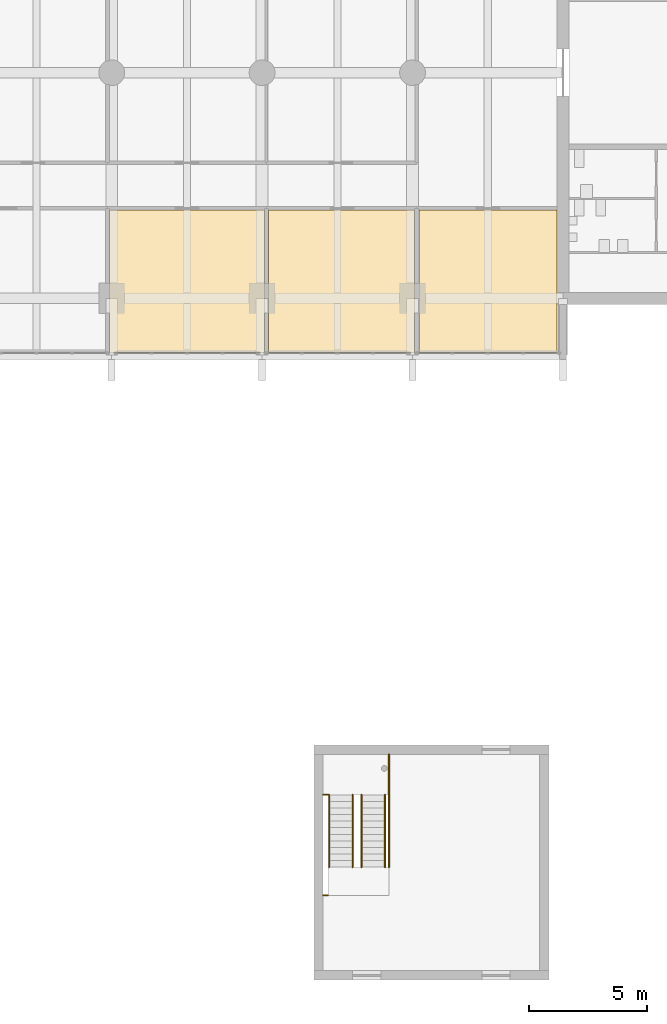
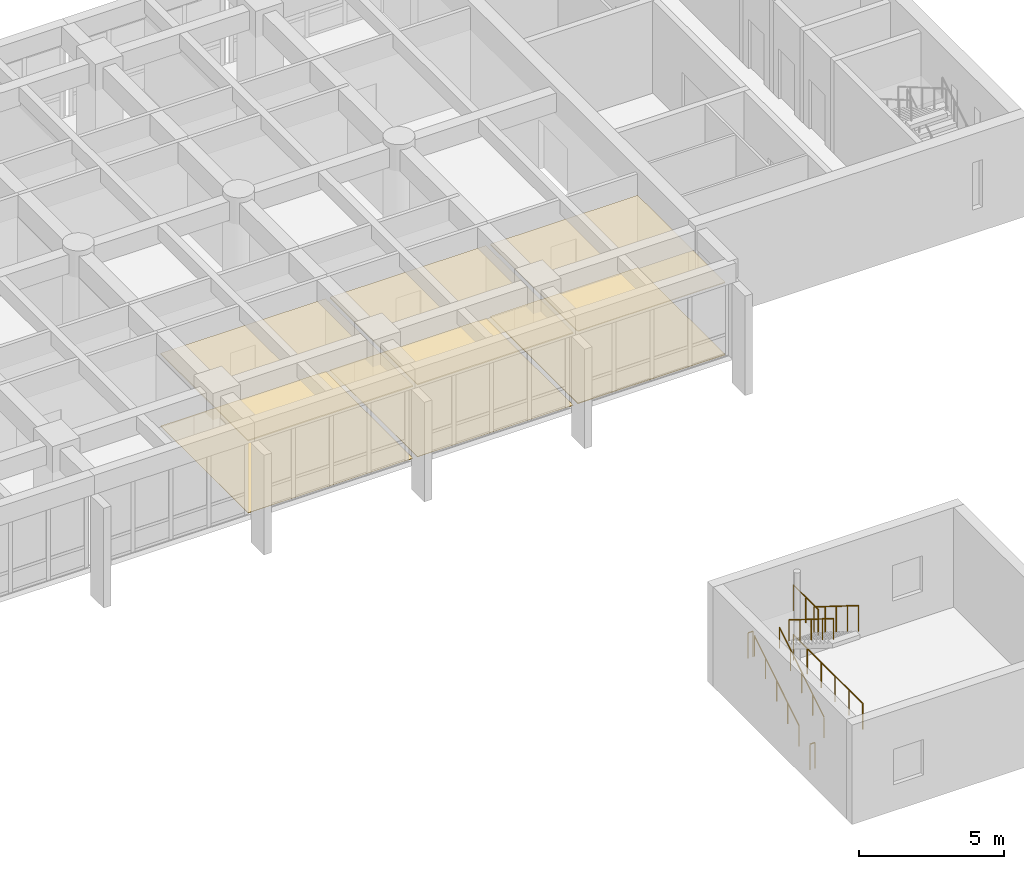
# One storey, part 16 of 18: 8 railings, 6 coverings.
"""IFC4 building model written with IfcOpenShell, lengths in metres."""

from ifc_helpers import new_model, si_unit, direction, frame, origin, origin_2d, place, context, subcontext, project, spatial, polyline, circle, outline, extrude, material, layer, layer_set, type_object, element, save


model = new_model("IFC4")

# Units and contexts
model_context = context("Model", 3, precision=1e-05, world=origin(), true_north=direction((0.0, 1.0)))
body_context = subcontext(model_context, "Body", "Model", "MODEL_VIEW")
ifc_project = project(units=[si_unit("LENGTHUNIT", "METRE"), si_unit("AREAUNIT", "SQUARE_METRE"), si_unit("VOLUMEUNIT", "CUBIC_METRE"), si_unit("PLANEANGLEUNIT", "RADIAN"), si_unit("MASSUNIT", "GRAM", prefix="KILO")], contexts=[model_context])

# Site, building, storey
site_placement = place(None, origin())
site = spatial("IfcSite", under=ifc_project, at=site_placement, CompositionType="ELEMENT")
building_placement = place(site_placement, origin())
building = spatial("IfcBuilding", under=site, at=building_placement, Name="Fogon Plaza Fire Station and Headquarters Tower", CompositionType="ELEMENT")
storey_placement = place(building_placement, frame((0.0, 0.0, 12.89990234375)))
storey = spatial("IfcBuildingStorey", under=building, at=storey_placement, Name="L03", CompositionType="ELEMENT", Elevation=12.89990234375)

# Railings
ifc_material_1 = material(Name="Stainless Steel", Category="steel")
railing_type_1 = type_object("IfcRailingType", Name="Guard Steel 1100", PredefinedType="GUARDRAIL", material=ifc_material_1)
railing_1_placement = place(storey_placement, frame((56.60009765625, 9.39990234375, 0.0)))
element("IfcRailing", 1, at=railing_1_placement, inside=storey, type_object=railing_type_1, Name="rail-DT1-L03-edge", PredefinedType="GUARDRAIL", context=body_context, shape_type="SweptSolid", body=[
    extrude(circle(Radius=0.02392578125, at=origin_2d()), frame((0.0, 0.0, 1.076171875), z_axis=(0.0, 1.0, 0.0), x_axis=(-1.0, 0.0, 0.0)), (0.0, 0.0, 1.0), 4.800048828125),
    extrude(circle(Radius=0.02099609375, at=origin_2d()), origin(), (0.0, 0.0, 1.0), 1.052001953125),
    extrude(circle(Radius=0.02099609375, at=origin_2d()), frame((0.0, 0.9599609375, 0.0)), (0.0, 0.0, 1.0), 1.052001953125),
    extrude(circle(Radius=0.02099609375, at=origin_2d()), frame((0.0, 1.919921875, 0.0)), (0.0, 0.0, 1.0), 1.052001953125),
    extrude(circle(Radius=0.02099609375, at=origin_2d()), frame((0.0, 2.880126953125, 0.0)), (0.0, 0.0, 1.0), 1.052001953125),
    extrude(circle(Radius=0.02099609375, at=origin_2d()), frame((0.0, 3.840087890625, 0.0)), (0.0, 0.0, 1.0), 1.052001953125),
    extrude(circle(Radius=0.02099609375, at=origin_2d()), frame((0.0, 4.800048828125, 0.0)), (0.0, 0.0, 1.0), 1.052001953125),
])
railing_2_placement = place(storey_placement, frame((53.800048828125, 8.199951171875, 0.0)))
element("IfcRailing", 2, at=railing_2_placement, inside=storey, type_object=railing_type_1, Name="rail-DT1-L03-slotmouth", PredefinedType="GUARDRAIL", context=body_context, shape_type="SweptSolid", body=[
    extrude(circle(Radius=0.02392578125, at=origin_2d()), frame((0.0, 0.0, 1.076171875), z_axis=(1.0, 0.0, 0.0), x_axis=(0.0, 1.0, 0.0)), (0.0, 0.0, 1.0), 0.199951171875),
    extrude(circle(Radius=0.02099609375, at=origin_2d()), origin(), (0.0, 0.0, 1.0), 1.052001953125),
    extrude(circle(Radius=0.02099609375, at=origin_2d()), frame((0.199951171875, 0.0, 0.0)), (0.0, 0.0, 1.0), 1.052001953125),
])
railing_3_placement = place(storey_placement, frame((56.429931640625, 12.47998046875, 2.275146484375)))
element("IfcRailing", 3, at=railing_3_placement, inside=storey, type_object=railing_type_1, Name="rail-DT1-L03-4", PredefinedType="GUARDRAIL", context=body_context, shape_type="SweptSolid", body=[
    extrude(circle(Radius=0.02392578125, at=origin_2d()), frame((0.0, 0.0, 1.076171875), z_axis=(0.0, -0.847998304005, 0.529998940003), x_axis=(1.0, 0.0, 0.0)), (0.0, 0.0, 1.0), 3.632080078125),
    extrude(circle(Radius=0.02099609375, at=origin_2d()), origin(), (0.0, 0.0, 1.0), 1.052001953125),
    extrude(circle(Radius=0.02099609375, at=origin_2d()), frame((0.0, -0.77001953125, 0.481201171875)), (0.0, 0.0, 1.0), 1.052001953125),
    extrude(circle(Radius=0.02099609375, at=origin_2d()), frame((0.0, -1.5400390625, 0.96240234375)), (0.0, 0.0, 1.0), 1.052001953125),
    extrude(circle(Radius=0.02099609375, at=origin_2d()), frame((0.0, -2.31005859375, 1.44384765625)), (0.0, 0.0, 1.0), 1.052001953125),
    extrude(circle(Radius=0.02099609375, at=origin_2d()), frame((0.0, -3.080078125, 1.925048828125)), (0.0, 0.0, 1.0), 1.052001953125),
])
railing_4_placement = place(storey_placement, frame((56.60009765625, 12.47998046875, 2.10009765625)))
element("IfcRailing", 4, at=railing_4_placement, inside=storey, type_object=railing_type_1, Name="rail-DT1-L03-half", PredefinedType="GUARDRAIL", context=body_context, shape_type="SweptSolid", body=[
    extrude(circle(Radius=0.02392578125, at=origin_2d()), frame((0.0, 0.0, 1.076171875), z_axis=(0.0, 1.0, 0.0), x_axis=(-1.0, 0.0, 0.0)), (0.0, 0.0, 1.0), 1.719970703125),
    extrude(circle(Radius=0.02099609375, at=origin_2d()), origin(), (0.0, 0.0, 1.0), 1.052001953125),
    extrude(circle(Radius=0.02099609375, at=origin_2d()), frame((0.0, 0.85986328125, 0.0)), (0.0, 0.0, 1.0), 1.052001953125),
    extrude(circle(Radius=0.02099609375, at=origin_2d()), frame((0.0, 1.719970703125, 0.0)), (0.0, 0.0, 1.0), 1.052001953125),
])
railing_5_placement = place(storey_placement, frame((53.800048828125, 12.47998046875, 2.10009765625)))
element("IfcRailing", 5, at=railing_5_placement, inside=storey, type_object=railing_type_1, Name="rail-DT1-L03-slot", PredefinedType="GUARDRAIL", context=body_context, shape_type="SweptSolid", body=[
    extrude(circle(Radius=0.02392578125, at=origin_2d()), frame((0.0, 0.0, 1.076171875), z_axis=(1.0, 0.0, 0.0), x_axis=(0.0, 1.0, 0.0)), (0.0, 0.0, 1.0), 0.199951171875),
    extrude(circle(Radius=0.02099609375, at=origin_2d()), origin(), (0.0, 0.0, 1.0), 1.052001953125),
    extrude(circle(Radius=0.02099609375, at=origin_2d()), frame((0.199951171875, 0.0, 0.0)), (0.0, 0.0, 1.0), 1.052001953125),
])
ifc_material_2 = material(Name="Stainless Steel", Category="steel")
railing_type_2 = type_object("IfcRailingType", Name="Stair Handrail Steel 900", PredefinedType="HANDRAIL", material=ifc_material_2)
for number, where, name in (
    (6, (54.050048828125, 9.39990234375, 0.175048828125), "rail-DT1-L03-1"),
    (7, (55.050048828125, 9.39990234375, 0.175048828125), "rail-DT1-L03-2"),
):
    element("IfcRailing", number, at=place(storey_placement, frame(where)), inside=storey, type_object=railing_type_2, Name=name, PredefinedType="HANDRAIL", context=body_context, shape_type="SweptSolid", body=[
        extrude(circle(Radius=0.02392578125, at=origin_2d()), frame((0.0, 0.0, 0.8759765625), z_axis=(0.0, 0.847998304005, 0.529998940003), x_axis=(-1.0, 0.0, 0.0)), (0.0, 0.0, 1.0), 3.632080078125),
        extrude(circle(Radius=0.02099609375, at=origin_2d()), origin(), (0.0, 0.0, 1.0), 0.851806640625),
        extrude(circle(Radius=0.02099609375, at=origin_2d()), frame((0.0, 0.77001953125, 0.481201171875)), (0.0, 0.0, 1.0), 0.851806640625),
        extrude(circle(Radius=0.02099609375, at=origin_2d()), frame((0.0, 1.5400390625, 0.96240234375)), (0.0, 0.0, 1.0), 0.851806640625),
        extrude(circle(Radius=0.02099609375, at=origin_2d()), frame((0.0, 2.31005859375, 1.44384765625)), (0.0, 0.0, 1.0), 0.851806640625),
        extrude(circle(Radius=0.02099609375, at=origin_2d()), frame((0.0, 3.080078125, 1.925048828125)), (0.0, 0.0, 1.0), 0.851806640625),
    ])
railing_6_placement = place(storey_placement, frame((55.429931640625, 12.47998046875, 2.275146484375)))
element("IfcRailing", 8, at=railing_6_placement, inside=storey, type_object=railing_type_2, Name="rail-DT1-L03-3", PredefinedType="HANDRAIL", context=body_context, shape_type="SweptSolid", body=[
    extrude(circle(Radius=0.02392578125, at=origin_2d()), frame((0.0, 0.0, 0.8759765625), z_axis=(0.0, -0.847998304005, 0.529998940003), x_axis=(1.0, 0.0, 0.0)), (0.0, 0.0, 1.0), 3.632080078125),
    extrude(circle(Radius=0.02099609375, at=origin_2d()), origin(), (0.0, 0.0, 1.0), 0.851806640625),
    extrude(circle(Radius=0.02099609375, at=origin_2d()), frame((0.0, -0.77001953125, 0.481201171875)), (0.0, 0.0, 1.0), 0.851806640625),
    extrude(circle(Radius=0.02099609375, at=origin_2d()), frame((0.0, -1.5400390625, 0.96240234375)), (0.0, 0.0, 1.0), 0.851806640625),
    extrude(circle(Radius=0.02099609375, at=origin_2d()), frame((0.0, -2.31005859375, 1.44384765625)), (0.0, 0.0, 1.0), 0.851806640625),
    extrude(circle(Radius=0.02099609375, at=origin_2d()), frame((0.0, -3.080078125, 1.925048828125)), (0.0, 0.0, 1.0), 0.851806640625),
])

# Coverings
ifc_material_3 = material(Name="Acoustic ceiling tile")
ifc_layer_1 = layer(ifc_material_3, 0.050048828125)
ifc_layer_set_1 = layer_set([ifc_layer_1], Name="Acoustic ceiling tile")
covering_type_1 = type_object("IfcCoveringType", Name="Tower acoustic ceiling", PredefinedType="CEILING", material=ifc_layer_set_1)
covering_1_placement = place(storey_placement, frame((0.0, 0.0, 3.030029296875)))
element("IfcCovering", 9, at=covering_1_placement, inside=storey, type_object=covering_type_1, Name="cov-cl-L03-02", PredefinedType="CEILING", context=body_context, shape_type="SweptSolid", body=[
    extrude(outline(polyline([(51.29248046875, 31.300048828125), (51.29248046875, 37.35009765625), (44.70751953125, 37.35009765625), (44.70751953125, 31.300048828125), (51.29248046875, 31.300048828125)])), origin(), (0.0, 0.0, 1.0), 0.050048828125),
])
covering_2_placement = place(storey_placement, frame((0.0, 0.0, 3.030029296875)))
element("IfcCovering", 10, at=covering_2_placement, inside=storey, type_object=covering_type_1, Name="cov-cl-L03-03", PredefinedType="CEILING", context=body_context, shape_type="SweptSolid", body=[
    extrude(outline(polyline([(57.6923828125, 31.300048828125), (57.6923828125, 37.35009765625), (51.467529296875, 37.35009765625), (51.467529296875, 31.300048828125), (57.6923828125, 31.300048828125)])), origin(), (0.0, 0.0, 1.0), 0.050048828125),
])
ifc_material_4 = material(Name="Moisture resistant plasterboard ceiling")
ifc_layer_2 = layer(ifc_material_4, 0.034912109375)
ifc_layer_set_2 = layer_set([ifc_layer_2], Name="Moisture resistant plasterboard ceiling")
covering_type_2 = type_object("IfcCoveringType", Name="Tower moisture resistant ceiling", PredefinedType="CEILING", material=ifc_layer_set_2)
covering_3_placement = place(storey_placement, frame((0.0, 0.0, 3.045166015625)))
element("IfcCovering", 11, at=covering_3_placement, inside=storey, type_object=covering_type_2, Name="cov-cl-L03-04", PredefinedType="CEILING", context=body_context, shape_type="SweptSolid", body=[
    extrude(outline(polyline([(63.75, 31.300048828125), (63.75, 37.35009765625), (57.867431640625, 37.35009765625), (57.867431640625, 31.300048828125), (63.75, 31.300048828125)])), origin(), (0.0, 0.0, 1.0), 0.034912109375),
])
ifc_material_5 = material(Name="Sealed cement screed")
ifc_layer_3 = layer(ifc_material_5, 0.030029296875)
ifc_layer_set_3 = layer_set([ifc_layer_3], Name="Sealed cement screed")
covering_type_3 = type_object("IfcCoveringType", Name="Tower sealed screed floor", PredefinedType="FLOORING", material=ifc_layer_set_3)
covering_4_placement = place(storey_placement, origin())
element("IfcCovering", 12, at=covering_4_placement, inside=storey, type_object=covering_type_3, Name="cov-fl-L03-04", PredefinedType="FLOORING", context=body_context, shape_type="SweptSolid", body=[
    extrude(outline(polyline([(63.75, 31.300048828125), (63.75, 37.35009765625), (57.867431640625, 37.35009765625), (57.867431640625, 31.300048828125), (63.75, 31.300048828125)])), origin(), (0.0, 0.0, 1.0), 0.030029296875),
])
ifc_material_6 = material(Name="Vinyl sheet")
ifc_layer_4 = layer(ifc_material_6, 0.010009765625)
ifc_layer_set_4 = layer_set([ifc_layer_4], Name="Vinyl sheet")
covering_type_4 = type_object("IfcCoveringType", Name="Tower vinyl floor", PredefinedType="FLOORING", material=ifc_layer_set_4)
covering_5_placement = place(storey_placement, origin())
element("IfcCovering", 13, at=covering_5_placement, inside=storey, type_object=covering_type_4, Name="cov-fl-L03-02", PredefinedType="FLOORING", context=body_context, shape_type="SweptSolid", body=[
    extrude(outline(polyline([(51.29248046875, 31.300048828125), (51.29248046875, 37.35009765625), (44.70751953125, 37.35009765625), (44.70751953125, 31.300048828125), (51.29248046875, 31.300048828125)])), origin(), (0.0, 0.0, 1.0), 0.010009765625),
])
covering_6_placement = place(storey_placement, origin())
element("IfcCovering", 14, at=covering_6_placement, inside=storey, type_object=covering_type_4, Name="cov-fl-L03-03", PredefinedType="FLOORING", context=body_context, shape_type="SweptSolid", body=[
    extrude(outline(polyline([(57.6923828125, 31.300048828125), (57.6923828125, 37.35009765625), (51.467529296875, 37.35009765625), (51.467529296875, 31.300048828125), (57.6923828125, 31.300048828125)])), origin(), (0.0, 0.0, 1.0), 0.010009765625),
])

save(model, "model.ifc")
